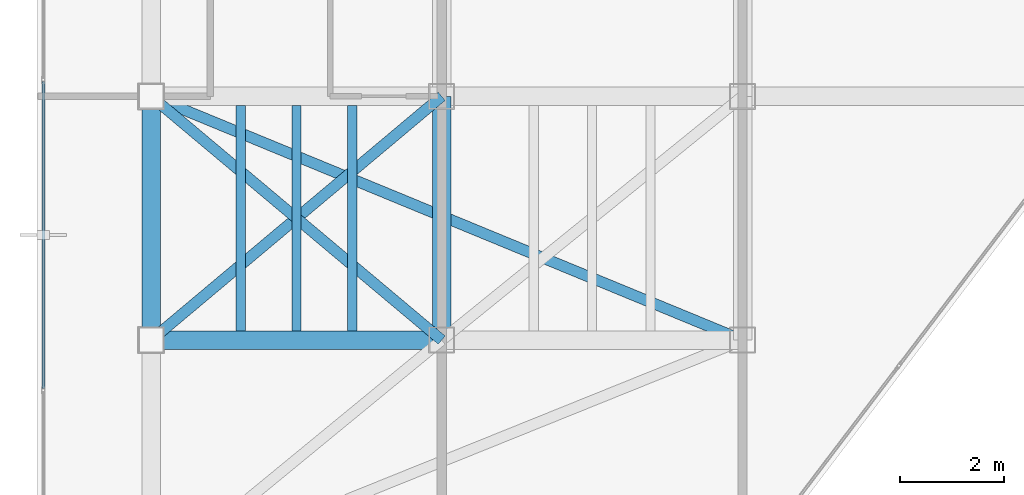
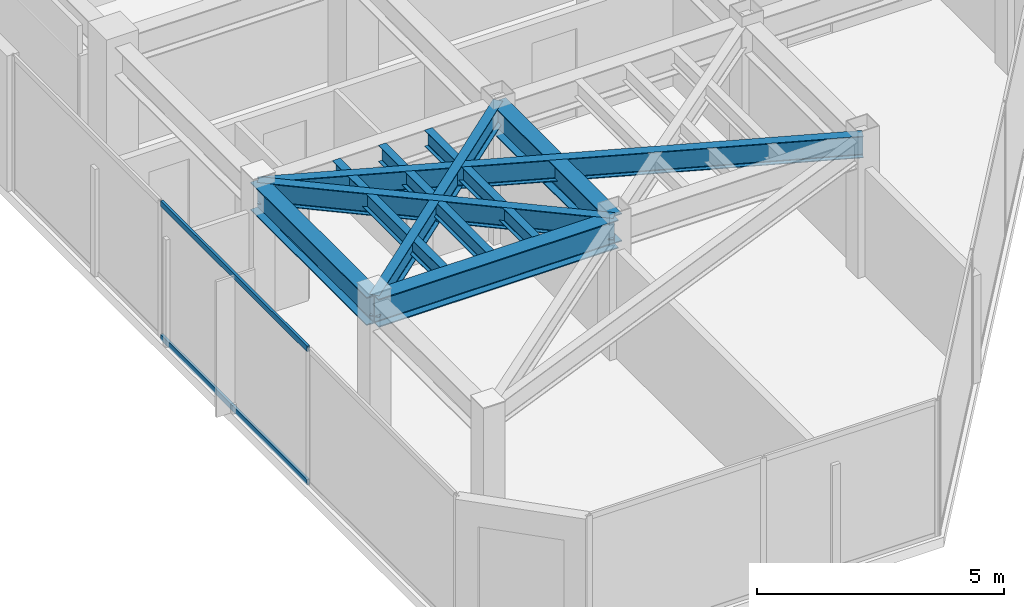
# One storey, part 5 of 19: 9 beams, 2 members, 1 element without a shape of its own.
"""IFC4 building model written with IfcOpenShell, lengths in metres."""

from ifc_helpers import new_model, si_unit, direction, frame, origin, origin_2d, place, context, subcontext, project, spatial, hollow_rectangle, i_section, extrude, material, layer, layer_set, material_profile, profile_set, type_object, element, aggregate, save


model = new_model("IFC4")

# Units and contexts
model_context = context("Model", 3, precision=1e-05, world=origin(), true_north=direction((0.0, 1.0)))
body_context = subcontext(model_context, "Body", "Model", "MODEL_VIEW")
ifc_project = project(units=[si_unit("LENGTHUNIT", "METRE"), si_unit("AREAUNIT", "SQUARE_METRE"), si_unit("VOLUMEUNIT", "CUBIC_METRE"), si_unit("PLANEANGLEUNIT", "RADIAN"), si_unit("MASSUNIT", "GRAM", prefix="KILO")], contexts=[model_context])

# Site, building, storey
site_placement = place(None, origin())
site = spatial("IfcSite", under=ifc_project, at=site_placement, CompositionType="ELEMENT")
building_placement = place(site_placement, origin())
building = spatial("IfcBuilding", under=site, at=building_placement, Name="Kravanh Interchange Tower", CompositionType="ELEMENT")
storey_placement = place(building_placement, frame((0.0, 0.0, 259.800048828125)))
storey = spatial("IfcBuildingStorey", under=building, at=storey_placement, Name="L63", CompositionType="ELEMENT", Elevation=259.800048828125)

# Curtain wall, members
ifc_material_1 = material(Name="Anodised Bronze Aluminium", Category="aluminium")
ifc_layer = layer(ifc_material_1, 0.179931640625)
ifc_layer_set = layer_set([ifc_layer], Name="Unitised Curtain Wall System CW-HTL Luxury Hotel")
curtain_wall_type = type_object("IfcCurtainWallType", Name="Unitised Curtain Wall System CW-HTL Luxury Hotel", PredefinedType="NOTDEFINED", material=ifc_layer_set)
curtain_wall_placement = place(storey_placement, origin())
curtain_wall = element("IfcCurtainWall", 1, at=curtain_wall_placement, inside=storey, type_object=curtain_wall_type, Name="L63 Unitised Curtain Wall CW-L63-01", PredefinedType="NOTDEFINED")
ifc_material_2 = material(Name="Anodised Bronze Aluminium", Category="aluminium")
ifc_material_profile_1 = material_profile(ifc_material_2, hollow_rectangle(XDim=0.06005859375, YDim=0.139892578125, WallThickness=0.00390625, at=origin_2d()), Name="ALU60X140X4")
ifc_profile_set_1 = profile_set([ifc_material_profile_1], Name="Anodised Bronze Aluminium")
member_type = type_object("IfcMemberType", Name="Curtain Wall Transom ALU60X140X4 Bronze", PredefinedType="USERDEFINED", material=ifc_profile_set_1)
member_1_placement = place(storey_placement, frame((25.1201171875, 25.863037109375, 0.030029296875), z_axis=(0.0, 1.0, 0.0), x_axis=(-1.0, 0.0, 0.0)))
member_1 = element("IfcMember", 2, at=member_1_placement, type_object=member_type, Name="CW-HTL transom 2.1", ObjectType="TRANSOM", PredefinedType="USERDEFINED", context=body_context, shape_type="SweptSolid", body=[
    extrude(hollow_rectangle(XDim=0.06005859375, YDim=0.139892578125, WallThickness=0.00390625, at=origin_2d()), origin(), (0.0, 0.0, 1.0), 5.923583984375),
])
member_2_placement = place(storey_placement, frame((25.1201171875, 25.863037109375, 3.320068359375), z_axis=(0.0, 1.0, 0.0), x_axis=(-1.0, 0.0, 0.0)))
member_2 = element("IfcMember", 3, at=member_2_placement, type_object=member_type, Name="CW-HTL transom 2.2", ObjectType="TRANSOM", PredefinedType="USERDEFINED", context=body_context, shape_type="SweptSolid", body=[
    extrude(hollow_rectangle(XDim=0.06005859375, YDim=0.139892578125, WallThickness=0.00390625, at=origin_2d()), origin(), (0.0, 0.0, 1.0), 5.923583984375),
])
aggregate(curtain_wall, [member_1, member_2])

# Beams
ifc_material_3 = material(Name="Structural Steel S355", Category="steel")
ifc_material_profile_2 = material_profile(ifc_material_3, i_section(OverallWidth=0.35498046875, OverallDepth=0.696044921875, WebThickness=0.015380859375, FlangeThickness=0.02490234375, FilletRadius=0.02392578125, at=origin_2d()), Name="W27X146")
ifc_profile_set_2 = profile_set([ifc_material_profile_2], Name="Structural Steel S355")
beam_type_1 = type_object("IfcBeamType", Name="Floor Beam W27X146 Structural Steel S355", PredefinedType="BEAM", material=ifc_profile_set_2)
for number, where, z_axis, x_axis, name in (
    (4, (32.800048828125, 31.5, 3.001953125), (0.0, -1.0, 0.0), (1.0, 0.0, 0.0), "L63 Primary Floor Girder 21"),
    (5, (27.199951171875, 31.5, 3.001953125), (0.0, -1.0, 0.0), (1.0, 0.0, 0.0), "L63 Primary Floor Girder 25"),
):
    element("IfcBeam", number, at=place(storey_placement, frame(where, z_axis=z_axis, x_axis=x_axis)), inside=storey, type_object=beam_type_1, Name=name, PredefinedType="BEAM", context=body_context, shape_type="SweptSolid", body=[
        extrude(i_section(OverallWidth=0.35498046875, OverallDepth=0.696044921875, WebThickness=0.015380859375, FlangeThickness=0.02490234375, FilletRadius=0.02392578125, at=origin_2d()), origin(), (0.0, 0.0, 1.0), 4.699951171875),
    ])
beam_1_placement = place(storey_placement, frame((27.199951171875, 26.800048828125, 3.001953125), z_axis=(1.0, 0.0, 0.0), x_axis=(0.0, 1.0, 0.0)))
element("IfcBeam", 6, at=beam_1_placement, inside=storey, type_object=beam_type_1, Name="L63 Primary Floor Girder 42", PredefinedType="BEAM", context=body_context, shape_type="SweptSolid", body=[
    extrude(i_section(OverallWidth=0.35498046875, OverallDepth=0.696044921875, WebThickness=0.015380859375, FlangeThickness=0.02490234375, FilletRadius=0.02392578125, at=origin_2d()), origin(), (0.0, 0.0, 1.0), 5.60009765625),
])
ifc_material_4 = material(Name="Structural Steel S355", Category="steel")
ifc_material_profile_3 = material_profile(ifc_material_4, i_section(OverallWidth=0.177978515625, OverallDepth=0.406005859375, WebThickness=0.0078125, FlangeThickness=0.0126953125, FilletRadius=0.01611328125, at=origin_2d()), Name="W16X40")
ifc_profile_set_3 = profile_set([ifc_material_profile_3], Name="Structural Steel S355")
beam_type_2 = type_object("IfcBeamType", Name="Floor Joist W16X40 Structural Steel S355", PredefinedType="JOIST", material=ifc_profile_set_3)
for number, where, z_axis, x_axis, name in (
    (7, (28.925048828125, 26.972412109375, 3.14697265625), (0.0, 1.0, 0.0), (-1.0, 0.0, 0.0), "L63 Secondary Floor Joist 4"),
    (8, (30.0, 26.972412109375, 3.14697265625), (0.0, 1.0, 0.0), (-1.0, 0.0, 0.0), "L63 Secondary Floor Joist 5"),
    (9, (31.074951171875, 26.972412109375, 3.14697265625), (0.0, 1.0, 0.0), (-1.0, 0.0, 0.0), "L63 Secondary Floor Joist 6"),
):
    element("IfcBeam", number, at=place(storey_placement, frame(where, z_axis=z_axis, x_axis=x_axis)), inside=storey, type_object=beam_type_2, Name=name, PredefinedType="JOIST", context=body_context, shape_type="SweptSolid", body=[
        extrude(i_section(OverallWidth=0.177978515625, OverallDepth=0.406005859375, WebThickness=0.0078125, FlangeThickness=0.0126953125, FilletRadius=0.01611328125, at=origin_2d()), origin(), (0.0, 0.0, 1.0), 4.35498046875),
    ])
ifc_material_5 = material(Name="Structural Steel S355", Category="steel")
ifc_material_profile_4 = material_profile(ifc_material_5, i_section(OverallWidth=0.2099609375, OverallDepth=0.537109375, WebThickness=0.010986328125, FlangeThickness=0.017333984375, FilletRadius=0.02001953125, at=origin_2d()), Name="W21X68")
ifc_profile_set_4 = profile_set([ifc_material_profile_4], Name="Structural Steel S355")
beam_type_3 = type_object("IfcBeamType", Name="Floor Spandrel W21X68 Structural Steel S355", PredefinedType="SPANDREL", material=ifc_profile_set_4)
for number, where, z_axis, x_axis, name in (
    (10, (32.800048828125, 31.5, 3.08154296875), (-0.765983062929, -0.642860752657, 0.0), (0.642860752657, -0.765983062929, 0.0), "L63 Perimeter Spandrel 24"),
    (11, (27.199951171875, 31.5, 3.08154296875), (0.765983062929, -0.642860752657, 0.0), (0.642860752657, 0.765983062929, 0.0), "L63 Perimeter Spandrel 27"),
):
    element("IfcBeam", number, at=place(storey_placement, frame(where, z_axis=z_axis, x_axis=x_axis)), inside=storey, type_object=beam_type_3, Name=name, PredefinedType="SPANDREL", context=body_context, shape_type="SweptSolid", body=[
        extrude(i_section(OverallWidth=0.2099609375, OverallDepth=0.537109375, WebThickness=0.010986328125, FlangeThickness=0.017333984375, FilletRadius=0.02001953125, at=origin_2d()), origin(), (0.0, 0.0, 1.0), 7.31103515625),
    ])
beam_2_placement = place(storey_placement, frame((27.199951171875, 31.5, 3.08154296875), z_axis=(0.924513176562, -0.381150083778, 0.0), x_axis=(0.381150083778, 0.924513176562, 0.0)))
element("IfcBeam", 12, at=beam_2_placement, inside=storey, type_object=beam_type_3, Name="L63 Perimeter Spandrel 28", PredefinedType="SPANDREL", context=body_context, shape_type="SweptSolid", body=[
    extrude(i_section(OverallWidth=0.2099609375, OverallDepth=0.537109375, WebThickness=0.010986328125, FlangeThickness=0.017333984375, FilletRadius=0.02001953125, at=origin_2d()), origin(), (0.0, 0.0, 1.0), 12.3310546875),
])

save(model, "model.ifc")
